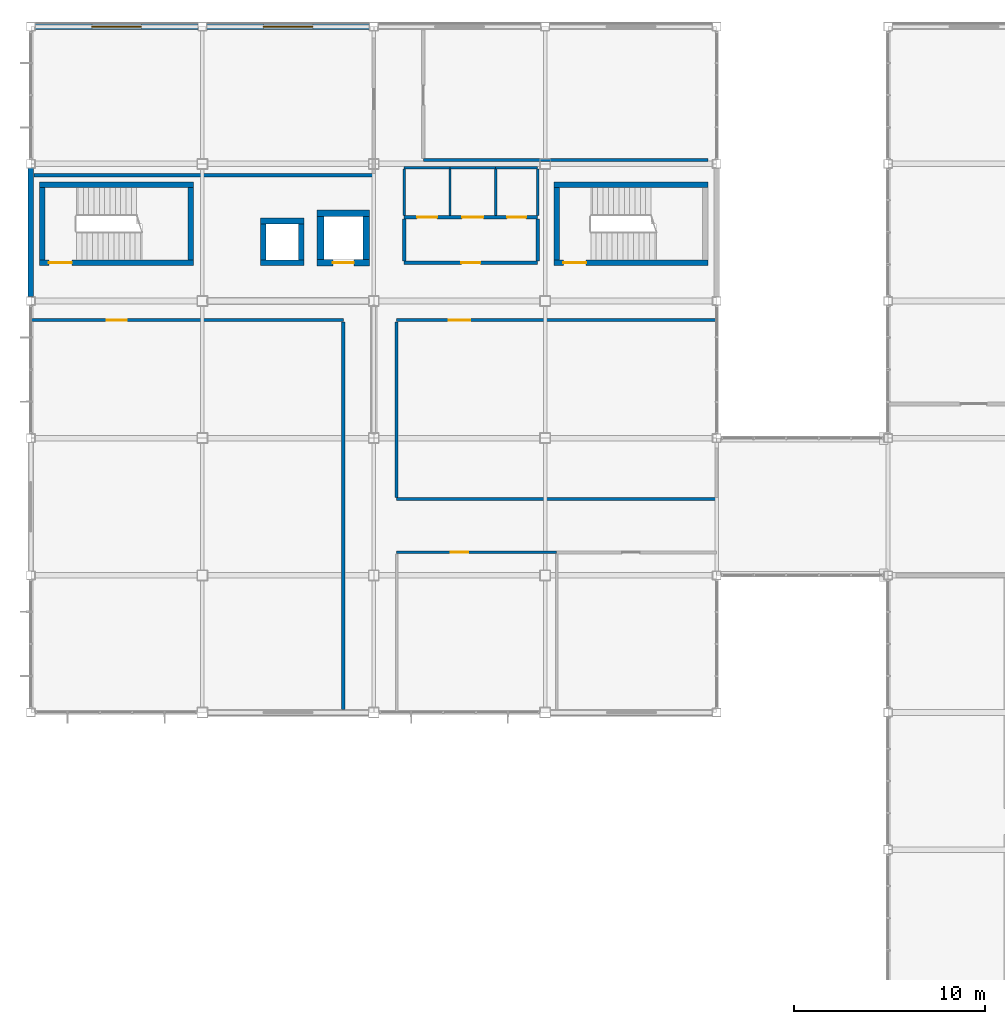
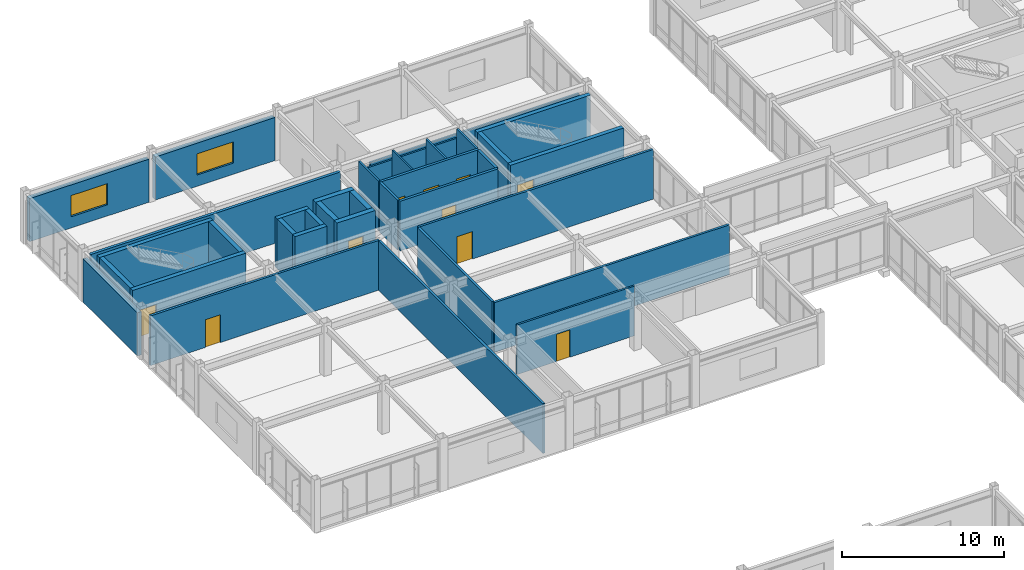
# One storey, part 101 of 122: 37 walls, 10 doors, 2 windows, 12 openings.
"""IFC4 building model written with IfcOpenShell, lengths in metres."""

from ifc_helpers import new_model, si_unit, direction, frame, frame_2d, origin, place, context, subcontext, project, spatial, rectangle, extrude, material, layer, layer_set, type_object, element, fill, save


model = new_model("IFC4")

# Units and contexts
model_context = context("Model", 3, precision=1e-05, world=origin(), true_north=direction((0.0, 1.0)))
body_context = subcontext(model_context, "Body", "Model", "MODEL_VIEW")
ifc_project = project(units=[si_unit("LENGTHUNIT", "METRE"), si_unit("AREAUNIT", "SQUARE_METRE"), si_unit("VOLUMEUNIT", "CUBIC_METRE"), si_unit("PLANEANGLEUNIT", "RADIAN"), si_unit("MASSUNIT", "GRAM", prefix="KILO")], contexts=[model_context])

# Site, building, storey
site_placement = place(None, origin())
site = spatial("IfcSite", under=ifc_project, at=site_placement, CompositionType="ELEMENT")
building_placement = place(site_placement, origin())
building = spatial("IfcBuilding", under=site, at=building_placement, Name="Kazanami Central Library", CompositionType="ELEMENT")
storey_placement = place(building_placement, frame((0.0, 0.0, 4.800048828125)))
storey = spatial("IfcBuildingStorey", under=building, at=storey_placement, Name="L02", CompositionType="ELEMENT", Elevation=4.800048828125)

# Wall
ifc_material_1 = material(Name="Concrete Fc36 (36 MPa)", Category="concrete")
ifc_layer_1 = layer(ifc_material_1, 0.219970703125, Name="Concrete Fc36 (36 MPa)")
ifc_material_2 = material(Name="Extruded Polystyrene XPS", Category="earth")
ifc_layer_2 = layer(ifc_material_2, 0.050048828125, Name="Extruded Polystyrene XPS")
ifc_material_3 = material(Name="Honed Inada Granite", Category="masonry")
ifc_layer_3 = layer(ifc_material_3, 0.030029296875, Name="Honed Inada Granite")
ifc_layer_set_1 = layer_set([ifc_layer_1, ifc_layer_2, ifc_layer_3], Name="Concrete Fc36 (36 MPa)")
wall_type_1 = type_object("IfcWallType", Name="WAL-EW-300", PredefinedType="STANDARD", material=ifc_layer_set_1)
wall_1_placement = place(storey_placement, frame((0.0, 79.425048828125, 0.0), z_axis=(0.0, 0.0, 1.0), x_axis=(0.0, 1.0, 0.0)))
element("IfcWall", 1, at=wall_1_placement, inside=storey, type_object=wall_type_1, Name="Exterior Facade Wall EW-300 L02 W-1-11", PredefinedType="STANDARD", context=body_context, shape_type="SweptSolid", body=[
    extrude(rectangle(XDim=6.75, YDim=0.300048828125, at=frame_2d((3.375, 0.0))), origin(), (0.0, 0.0, 1.0), 3.2548828125),
])

# Wall, opening, window
ifc_layer_4 = layer(ifc_material_1, 0.239990234375, Name="Concrete Fc36 (36 MPa)")
ifc_layer_5 = layer(ifc_material_2, 0.050048828125, Name="Extruded Polystyrene XPS")
ifc_layer_6 = layer(ifc_material_3, 0.030029296875, Name="Honed Inada Granite")
ifc_layer_set_2 = layer_set([ifc_layer_4, ifc_layer_5, ifc_layer_6], Name="Concrete Fc36 (36 MPa)")
wall_type_2 = type_object("IfcWallType", Name="WAL-EW-320", PredefinedType="STANDARD", material=ifc_layer_set_2)
wall_2_placement = place(storey_placement, frame((8.77490234375, 93.60009765625, 0.0), z_axis=(0.0, 0.0, 1.0), x_axis=(-1.0, 0.0, 0.0)))
wall_2 = element("IfcWall", 2, at=wall_2_placement, inside=storey, type_object=wall_type_2, Name="Exterior Facade Wall EW-320 L02 N-O-00", PredefinedType="STANDARD", context=body_context, shape_type="SweptSolid", body=[
    extrude(rectangle(XDim=8.5498046875, YDim=0.320068359375, at=frame_2d((4.27490234375, 0.0))), origin(), (0.0, 0.0, 1.0), 3.2548828125),
])
opening_1_placement = place(wall_2_placement, frame((2.97509765625, 0.0, 0.85009765625)))
opening_1 = element("IfcOpeningElement", 3, at=opening_1_placement, cuts=wall_2, Name="Opening WN-13", PredefinedType="OPENING", context=body_context, shape_type="SweptSolid", body=[
    extrude(rectangle(XDim=2.60009765625, YDim=1.60009765625, at=frame_2d((1.300048828125, 0.800048828125))), frame((0.0, 0.171875, 0.0), z_axis=(0.0, -1.0, 0.0), x_axis=(1.0, 0.0, 0.0)), (0.0, 0.0, 1.0), 0.343994140625),
])
ifc_material_4 = material(Name="Low-E Insulated Triple Glass", Category="glass")
window_type = type_object("IfcWindowType", Name="WIN-WN-13", PartitioningType="DOUBLE_PANEL_VERTICAL", PredefinedType="WINDOW", material=ifc_material_4)
window_1_placement = place(opening_1_placement, origin())
window_1 = element("IfcWindow", 4, at=window_1_placement, inside=storey, type_object=window_type, Name="Facade Window WN-13 L02 N-O-00", OverallHeight=1.60009765625, OverallWidth=2.60009765625, PartitioningType="DOUBLE_PANEL_VERTICAL", PredefinedType="WINDOW", context=body_context, shape_type="SweptSolid", body=[
    extrude(rectangle(XDim=2.60009765625, YDim=1.60009765625, at=frame_2d((1.300048828125, 0.800048828125))), frame((0.0, 0.030029296875, 0.0), z_axis=(0.0, -1.0, 0.0), x_axis=(1.0, 0.0, 0.0)), (0.0, 0.0, 1.0), 0.06005859375),
])
fill(opening_1, window_1)

wall_3_placement = place(storey_placement, frame((17.77490234375, 93.60009765625, 0.0), z_axis=(0.0, 0.0, 1.0), x_axis=(-1.0, 0.0, 0.0)))
wall_3 = element("IfcWall", 5, at=wall_3_placement, inside=storey, type_object=wall_type_2, Name="Exterior Facade Wall EW-320 L02 N-O-01", PredefinedType="STANDARD", context=body_context, shape_type="SweptSolid", body=[
    extrude(rectangle(XDim=8.5498046875, YDim=0.320068359375, at=frame_2d((4.27490234375, 0.0))), origin(), (0.0, 0.0, 1.0), 3.2548828125),
])
opening_2_placement = place(wall_3_placement, frame((2.97509765625, 0.0, 0.85009765625)))
opening_2 = element("IfcOpeningElement", 6, at=opening_2_placement, cuts=wall_3, Name="Opening WN-13", PredefinedType="OPENING", context=body_context, shape_type="SweptSolid", body=[
    extrude(rectangle(XDim=2.60009765625, YDim=1.60009765625, at=frame_2d((1.300048828125, 0.800048828125))), frame((0.0, 0.171875, 0.0), z_axis=(0.0, -1.0, 0.0), x_axis=(1.0, 0.0, 0.0)), (0.0, 0.0, 1.0), 0.343994140625),
])
window_2_placement = place(opening_2_placement, origin())
window_2 = element("IfcWindow", 7, at=window_2_placement, inside=storey, type_object=window_type, Name="Facade Window WN-13 L02 N-O-01", OverallHeight=1.60009765625, OverallWidth=2.60009765625, PartitioningType="DOUBLE_PANEL_VERTICAL", PredefinedType="WINDOW", context=body_context, shape_type="SweptSolid", body=[
    extrude(rectangle(XDim=2.60009765625, YDim=1.60009765625, at=frame_2d((1.300048828125, 0.800048828125))), frame((0.0, 0.030029296875, 0.0), z_axis=(0.0, -1.0, 0.0), x_axis=(1.0, 0.0, 0.0)), (0.0, 0.0, 1.0), 0.06005859375),
])
fill(opening_2, window_2)

# Wall, opening, door
ifc_material_5 = material(Name="Fire-Resistant Gypsum Board GB-F", Category="gypsum")
ifc_layer_7 = layer(ifc_material_5, 0.1650390625, Name="Fire-Resistant Gypsum Board GB-F")
ifc_layer_set_3 = layer_set([ifc_layer_7], Name="Fire-Resistant Gypsum Board GB-F")
wall_type_3 = type_object("IfcWallType", Name="WAL-FW-165", PredefinedType="PARTITIONING", material=ifc_layer_set_3)
wall_4_placement = place(storey_placement, frame((0.034912109375, 78.199951171875, 0.0), z_axis=(0.0, 0.0, 1.0), x_axis=(1.0, 0.0, 0.0)))
wall_4 = element("IfcWall", 8, at=wall_4_placement, inside=storey, type_object=wall_type_3, Name="Interior Partition FW-165 L02 RM-17 (North)", PredefinedType="PARTITIONING", context=body_context, shape_type="SweptSolid", body=[
    extrude(rectangle(XDim=16.364990234375, YDim=0.1650390625, at=frame_2d((8.1826171875, 0.0))), origin(), (0.0, 0.0, 1.0), 3.7548828125),
])
opening_3_placement = place(wall_4_placement, frame((3.93994140625, 0.0, 0.0)))
opening_3 = element("IfcOpeningElement", 9, at=opening_3_placement, cuts=wall_4, Name="Opening FD30-1", PredefinedType="OPENING", context=body_context, shape_type="SweptSolid", body=[
    extrude(rectangle(XDim=1.050048828125, YDim=2.10009765625, at=frame_2d((0.52490234375, 1.050048828125))), frame((0.0, 0.094482421875, 0.0), z_axis=(0.0, -1.0, 0.0), x_axis=(1.0, 0.0, 0.0)), (0.0, 0.0, 1.0), 0.18896484375),
])
ifc_material_6 = material(Name="Cold-Rolled Steel SPCC", Category="steel")
door_type_1 = type_object("IfcDoorType", Name="DOR-FD30-1", OperationType="NOTDEFINED", PredefinedType="DOOR", material=ifc_material_6)
door_1_placement = place(opening_3_placement, origin())
door_1 = element("IfcDoor", 10, at=door_1_placement, inside=storey, type_object=door_type_1, Name="Interior Door FD30-1 L02 RM-17", OperationType="SINGLE_SWING_LEFT", OverallHeight=2.10009765625, OverallWidth=1.050048828125, PredefinedType="DOOR", context=body_context, shape_type="SweptSolid", body=[
    extrude(rectangle(XDim=1.050048828125, YDim=2.10009765625, at=frame_2d((0.52490234375, 1.050048828125))), frame((0.0, 0.02490234375, 0.0), z_axis=(0.0, -1.0, 0.0), x_axis=(1.0, 0.0, 0.0)), (0.0, 0.0, 1.0), 0.050048828125),
])
fill(opening_3, door_1)

# Walls
wall_5_placement = place(storey_placement, frame((16.39990234375, 57.764892578125, 0.0), z_axis=(0.0, 0.0, 1.0), x_axis=(0.0, 1.0, 0.0)))
element("IfcWall", 11, at=wall_5_placement, inside=storey, type_object=wall_type_3, Name="Interior Partition FW-165 L02 RM-17 (East)", PredefinedType="PARTITIONING", context=body_context, shape_type="SweptSolid", body=[
    extrude(rectangle(XDim=20.34521484375, YDim=0.1650390625, at=frame_2d((10.172607421875, 0.0))), origin(), (0.0, 0.0, 1.0), 3.7548828125),
])
wall_6_placement = place(storey_placement, frame((19.199951171875, 68.800048828125, 0.0), z_axis=(0.0, 0.0, 1.0), x_axis=(1.0, 0.0, 0.0)))
element("IfcWall", 12, at=wall_6_placement, inside=storey, type_object=wall_type_3, Name="Interior Partition FW-165 L02 RM-20 (South)", PredefinedType="PARTITIONING", context=body_context, shape_type="SweptSolid", body=[
    extrude(rectangle(XDim=16.800048828125, YDim=0.1650390625, at=frame_2d((8.39990234375, 0.0))), origin(), (0.0, 0.0, 1.0), 3.7548828125),
])

# Wall, opening, door
wall_7_placement = place(storey_placement, frame((19.199951171875, 78.199951171875, 0.0), z_axis=(0.0, 0.0, 1.0), x_axis=(1.0, 0.0, 0.0)))
wall_7 = element("IfcWall", 13, at=wall_7_placement, inside=storey, type_object=wall_type_3, Name="Interior Partition FW-165 L02 RM-20 (North)", PredefinedType="PARTITIONING", context=body_context, shape_type="SweptSolid", body=[
    extrude(rectangle(XDim=16.76513671875, YDim=0.1650390625, at=frame_2d((8.382568359375, 0.0))), origin(), (0.0, 0.0, 1.0), 3.7548828125),
])
opening_4_placement = place(wall_7_placement, frame((2.739990234375, 0.0, 0.0)))
opening_4 = element("IfcOpeningElement", 14, at=opening_4_placement, cuts=wall_7, Name="Opening FD30-8", PredefinedType="OPENING", context=body_context, shape_type="SweptSolid", body=[
    extrude(rectangle(XDim=1.1201171875, YDim=2.080078125, at=frame_2d((0.56005859375, 1.0400390625))), frame((0.0, 0.094482421875, 0.0), z_axis=(0.0, -1.0, 0.0), x_axis=(1.0, 0.0, 0.0)), (0.0, 0.0, 1.0), 0.18896484375),
])
door_type_2 = type_object("IfcDoorType", Name="DOR-FD30-8", OperationType="NOTDEFINED", PredefinedType="DOOR", material=ifc_material_6)
door_2_placement = place(opening_4_placement, origin())
door_2 = element("IfcDoor", 15, at=door_2_placement, inside=storey, type_object=door_type_2, Name="Interior Door FD30-8 L02 RM-20", OperationType="SINGLE_SWING_RIGHT", OverallHeight=2.080078125, OverallWidth=1.1201171875, PredefinedType="DOOR", context=body_context, shape_type="SweptSolid", body=[
    extrude(rectangle(XDim=1.1201171875, YDim=2.080078125, at=frame_2d((0.56005859375, 1.0400390625))), frame((0.0, 0.02490234375, 0.0), z_axis=(0.0, -1.0, 0.0), x_axis=(1.0, 0.0, 0.0)), (0.0, 0.0, 1.0), 0.050048828125),
])
fill(opening_4, door_2)

# Walls
wall_8_placement = place(storey_placement, frame((19.199951171875, 68.889892578125, 0.0), z_axis=(0.0, 0.0, 1.0), x_axis=(0.0, 1.0, 0.0)))
element("IfcWall", 16, at=wall_8_placement, inside=storey, type_object=wall_type_3, Name="Interior Partition FW-165 L02 RM-20 (West)", PredefinedType="PARTITIONING", context=body_context, shape_type="SweptSolid", body=[
    extrude(rectangle(XDim=9.22021484375, YDim=0.1650390625, at=frame_2d((4.610107421875, 0.0))), origin(), (0.0, 0.0, 1.0), 3.7548828125),
])
wall_9_placement = place(storey_placement, frame((20.60009765625, 86.60009765625, 0.0), z_axis=(0.0, 0.0, 1.0), x_axis=(1.0, 0.0, 0.0)))
element("IfcWall", 17, at=wall_9_placement, inside=storey, type_object=wall_type_3, Name="Interior Partition FW-165 L02 RM-22 (South)", PredefinedType="PARTITIONING", context=body_context, shape_type="SweptSolid", body=[
    extrude(rectangle(XDim=14.94482421875, YDim=0.1650390625, at=frame_2d((7.472412109375, 0.0))), origin(), (0.0, 0.0, 1.0), 3.034912109375),
])

# Wall, opening, door
ifc_layer_8 = layer(ifc_material_5, 0.179931640625, Name="Fire-Resistant Gypsum Board GB-F")
ifc_layer_set_4 = layer_set([ifc_layer_8], Name="Fire-Resistant Gypsum Board GB-F")
wall_type_4 = type_object("IfcWallType", Name="WAL-FW-180", PredefinedType="PARTITIONING", material=ifc_layer_set_4)
wall_10_placement = place(storey_placement, frame((19.60009765625, 81.199951171875, 0.0), z_axis=(0.0, 0.0, 1.0), x_axis=(1.0, 0.0, 0.0)))
wall_10 = element("IfcWall", 18, at=wall_10_placement, inside=storey, type_object=wall_type_4, Name="Interior Partition FW-180 L02 WC-V4-LOB (South)", PredefinedType="PARTITIONING", context=body_context, shape_type="SweptSolid", body=[
    extrude(rectangle(XDim=7.0, YDim=0.179931640625, at=frame_2d((3.5, 0.0))), origin(), (0.0, 0.0, 1.0), 3.7548828125),
])
opening_5_placement = place(wall_10_placement, frame((3.0, 0.0, 0.0)))
opening_5 = element("IfcOpeningElement", 19, at=opening_5_placement, cuts=wall_10, Name="Opening FD30-2", PredefinedType="OPENING", context=body_context, shape_type="SweptSolid", body=[
    extrude(rectangle(XDim=1.0, YDim=2.080078125, at=frame_2d((0.5, 1.0400390625))), frame((0.0, 0.10205078125, 0.0), z_axis=(0.0, -1.0, 0.0), x_axis=(1.0, 0.0, 0.0)), (0.0, 0.0, 1.0), 0.203857421875),
])
door_type_3 = type_object("IfcDoorType", Name="DOR-FD30-2", OperationType="NOTDEFINED", PredefinedType="DOOR", material=ifc_material_6)
door_3_placement = place(opening_5_placement, origin())
door_3 = element("IfcDoor", 20, at=door_3_placement, inside=storey, type_object=door_type_3, Name="Interior Door FD30-2 L02 WC-V4-LOB", OperationType="SINGLE_SWING_RIGHT", OverallHeight=2.080078125, OverallWidth=1.0, PredefinedType="DOOR", context=body_context, shape_type="SweptSolid", body=[
    extrude(rectangle(XDim=1.0, YDim=2.080078125, at=frame_2d((0.5, 1.0400390625))), frame((0.0, 0.02490234375, 0.0), z_axis=(0.0, -1.0, 0.0), x_axis=(1.0, 0.0, 0.0)), (0.0, 0.0, 1.0), 0.050048828125),
])
fill(opening_5, door_3)

# Wall, openings, doors
wall_11_placement = place(storey_placement, frame((19.60009765625, 83.60009765625, 0.0), z_axis=(0.0, 0.0, 1.0), x_axis=(1.0, 0.0, 0.0)))
wall_11 = element("IfcWall", 21, at=wall_11_placement, inside=storey, type_object=wall_type_4, Name="Interior Partition FW-180 L02 WC-V4-LOB (North)", PredefinedType="PARTITIONING", context=body_context, shape_type="SweptSolid", body=[
    extrude(rectangle(XDim=7.0, YDim=0.179931640625, at=frame_2d((3.5, 0.0))), origin(), (0.0, 0.0, 1.0), 3.7548828125),
])
opening_6_placement = place(wall_11_placement, frame((0.675048828125, 0.0, 0.0)))
opening_6 = element("IfcOpeningElement", 22, at=opening_6_placement, cuts=wall_11, Name="Opening FD30-1", PredefinedType="OPENING", context=body_context, shape_type="SweptSolid", body=[
    extrude(rectangle(XDim=1.050048828125, YDim=2.10009765625, at=frame_2d((0.52490234375, 1.050048828125))), frame((0.0, 0.10205078125, 0.0), z_axis=(0.0, -1.0, 0.0), x_axis=(1.0, 0.0, 0.0)), (0.0, 0.0, 1.0), 0.203857421875),
])
opening_7_placement = place(wall_11_placement, frame((3.0400390625, 0.0, 0.0)))
opening_7 = element("IfcOpeningElement", 23, at=opening_7_placement, cuts=wall_11, Name="Opening FD30-8", PredefinedType="OPENING", context=body_context, shape_type="SweptSolid", body=[
    extrude(rectangle(XDim=1.1201171875, YDim=2.080078125, at=frame_2d((0.56005859375, 1.0400390625))), frame((0.0, 0.10205078125, 0.0), z_axis=(0.0, -1.0, 0.0), x_axis=(1.0, 0.0, 0.0)), (0.0, 0.0, 1.0), 0.203857421875),
])
opening_8_placement = place(wall_11_placement, frame((5.39990234375, 0.0, 0.0)))
opening_8 = element("IfcOpeningElement", 24, at=opening_8_placement, cuts=wall_11, Name="Opening FD30-2", PredefinedType="OPENING", context=body_context, shape_type="SweptSolid", body=[
    extrude(rectangle(XDim=1.0, YDim=2.080078125, at=frame_2d((0.5, 1.0400390625))), frame((0.0, 0.10205078125, 0.0), z_axis=(0.0, -1.0, 0.0), x_axis=(1.0, 0.0, 0.0)), (0.0, 0.0, 1.0), 0.203857421875),
])
door_4_placement = place(opening_6_placement, origin())
door_4 = element("IfcDoor", 25, at=door_4_placement, inside=storey, type_object=door_type_1, Name="Interior Door FD30-1 L02 WC-V4-M", OperationType="SINGLE_SWING_LEFT", OverallHeight=2.10009765625, OverallWidth=1.050048828125, PredefinedType="DOOR", context=body_context, shape_type="SweptSolid", body=[
    extrude(rectangle(XDim=1.050048828125, YDim=2.10009765625, at=frame_2d((0.52490234375, 1.050048828125))), frame((0.0, 0.02490234375, 0.0), z_axis=(0.0, -1.0, 0.0), x_axis=(1.0, 0.0, 0.0)), (0.0, 0.0, 1.0), 0.050048828125),
])
fill(opening_6, door_4)
door_5_placement = place(opening_8_placement, origin())
door_5 = element("IfcDoor", 26, at=door_5_placement, inside=storey, type_object=door_type_3, Name="Interior Door FD30-2 L02 WC-V4-ACC", OperationType="SINGLE_SWING_LEFT", OverallHeight=2.080078125, OverallWidth=1.0, PredefinedType="DOOR", context=body_context, shape_type="SweptSolid", body=[
    extrude(rectangle(XDim=1.0, YDim=2.080078125, at=frame_2d((0.5, 1.0400390625))), frame((0.0, 0.02490234375, 0.0), z_axis=(0.0, -1.0, 0.0), x_axis=(1.0, 0.0, 0.0)), (0.0, 0.0, 1.0), 0.050048828125),
])
fill(opening_8, door_5)
door_6_placement = place(opening_7_placement, origin())
door_6 = element("IfcDoor", 27, at=door_6_placement, inside=storey, type_object=door_type_2, Name="Interior Door FD30-8 L02 WC-V4-F", OperationType="SINGLE_SWING_RIGHT", OverallHeight=2.080078125, OverallWidth=1.1201171875, PredefinedType="DOOR", context=body_context, shape_type="SweptSolid", body=[
    extrude(rectangle(XDim=1.1201171875, YDim=2.080078125, at=frame_2d((0.56005859375, 1.0400390625))), frame((0.0, 0.02490234375, 0.0), z_axis=(0.0, -1.0, 0.0), x_axis=(1.0, 0.0, 0.0)), (0.0, 0.0, 1.0), 0.050048828125),
])
fill(opening_7, door_6)

# Walls
for number, where, z_axis, x_axis, name in (
    (28, (19.60009765625, 81.2900390625, 0.0), (0.0, 0.0, 1.0), (0.0, 1.0, 0.0), "Interior Partition FW-180 L02 WC-V4-LOB (West)"),
    (29, (26.60009765625, 81.2900390625, 0.0), (0.0, 0.0, 1.0), (0.0, 1.0, 0.0), "Interior Partition FW-180 L02 WC-V4-LOB (East)"),
):
    element("IfcWall", number, at=place(storey_placement, frame(where, z_axis=z_axis, x_axis=x_axis)), inside=storey, type_object=wall_type_4, Name=name, PredefinedType="PARTITIONING", context=body_context, shape_type="SweptSolid", body=[
        extrude(rectangle(XDim=2.219970703125, YDim=0.179931640625, at=frame_2d((1.10986328125, 0.0))), origin(), (0.0, 0.0, 1.0), 3.7548828125),
    ])
ifc_layer_9 = layer(ifc_material_5, 0.199951171875, Name="Fire-Resistant Gypsum Board GB-F")
ifc_layer_set_5 = layer_set([ifc_layer_9], Name="Fire-Resistant Gypsum Board GB-F")
wall_type_5 = type_object("IfcWallType", Name="WAL-FW-200", PredefinedType="PARTITIONING", material=ifc_layer_set_5)
wall_12_placement = place(storey_placement, frame((0.155029296875, 85.800048828125, 0.0), z_axis=(0.0, 0.0, 1.0), x_axis=(1.0, 0.0, 0.0)))
element("IfcWall", 30, at=wall_12_placement, inside=storey, type_object=wall_type_5, Name="Interior Partition FW-200 L02 RM-21 (South)", PredefinedType="PARTITIONING", context=body_context, shape_type="SweptSolid", body=[
    extrude(rectangle(XDim=17.844970703125, YDim=0.199951171875, at=frame_2d((8.92236328125, 0.0))), origin(), (0.0, 0.0, 1.0), 3.7548828125),
])
ifc_material_7 = material(Name="Gypsum Plasterboard GB-R", Category="gypsum")
ifc_layer_10 = layer(ifc_material_7, 0.125, Name="Gypsum Plasterboard GB-R")
ifc_layer_set_6 = layer_set([ifc_layer_10], Name="Gypsum Plasterboard GB-R")
wall_type_6 = type_object("IfcWallType", Name="WAL-PW-125", PredefinedType="PARTITIONING", material=ifc_layer_set_6)
wall_13_placement = place(storey_placement, frame((19.60009765625, 86.199951171875, 0.0), z_axis=(0.0, 0.0, 1.0), x_axis=(1.0, 0.0, 0.0)))
element("IfcWall", 31, at=wall_13_placement, inside=storey, type_object=wall_type_6, Name="Interior Partition PW-125 L02 WC-V4-M (North)", PredefinedType="PARTITIONING", context=body_context, shape_type="SweptSolid", body=[
    extrude(rectangle(XDim=2.39990234375, YDim=0.125, at=frame_2d((1.199951171875, 0.0))), origin(), (0.0, 0.0, 1.0), 3.034912109375),
])
for number, where, z_axis, x_axis, name in (
    (32, (19.60009765625, 83.68994140625, 0.0), (0.0, 0.0, 1.0), (0.0, 1.0, 0.0), "Interior Partition PW-125 L02 WC-V4-M (West)"),
    (33, (22.0, 83.68994140625, 0.0), (0.0, 0.0, 1.0), (0.0, 1.0, 0.0), "Interior Partition PW-125 L02 WC-V4-M (East)"),
):
    element("IfcWall", number, at=place(storey_placement, frame(where, z_axis=z_axis, x_axis=x_axis)), inside=storey, type_object=wall_type_6, Name=name, PredefinedType="PARTITIONING", context=body_context, shape_type="SweptSolid", body=[
        extrude(rectangle(XDim=2.447509765625, YDim=0.125, at=frame_2d((1.2236328125, 0.0))), origin(), (0.0, 0.0, 1.0), 3.7548828125),
    ])
wall_14_placement = place(storey_placement, frame((22.0, 86.199951171875, 0.0), z_axis=(0.0, 0.0, 1.0), x_axis=(1.0, 0.0, 0.0)))
element("IfcWall", 34, at=wall_14_placement, inside=storey, type_object=wall_type_6, Name="Interior Partition PW-125 L02 WC-V4-F (North)", PredefinedType="PARTITIONING", context=body_context, shape_type="SweptSolid", body=[
    extrude(rectangle(XDim=2.39990234375, YDim=0.125, at=frame_2d((1.199951171875, 0.0))), origin(), (0.0, 0.0, 1.0), 3.034912109375),
])
wall_15_placement = place(storey_placement, frame((24.39990234375, 83.68994140625, 0.0), z_axis=(0.0, 0.0, 1.0), x_axis=(0.0, 1.0, 0.0)))
element("IfcWall", 35, at=wall_15_placement, inside=storey, type_object=wall_type_6, Name="Interior Partition PW-125 L02 WC-V4-F (East)", PredefinedType="PARTITIONING", context=body_context, shape_type="SweptSolid", body=[
    extrude(rectangle(XDim=2.447509765625, YDim=0.125, at=frame_2d((1.2236328125, 0.0))), origin(), (0.0, 0.0, 1.0), 3.7548828125),
])
wall_16_placement = place(storey_placement, frame((24.39990234375, 86.199951171875, 0.0), z_axis=(0.0, 0.0, 1.0), x_axis=(1.0, 0.0, 0.0)))
element("IfcWall", 36, at=wall_16_placement, inside=storey, type_object=wall_type_6, Name="Interior Partition PW-125 L02 WC-V4-ACC (North)", PredefinedType="PARTITIONING", context=body_context, shape_type="SweptSolid", body=[
    extrude(rectangle(XDim=2.2001953125, YDim=0.125, at=frame_2d((1.10009765625, 0.0))), origin(), (0.0, 0.0, 1.0), 3.034912109375),
])
wall_17_placement = place(storey_placement, frame((26.60009765625, 83.68994140625, 0.0), z_axis=(0.0, 0.0, 1.0), x_axis=(0.0, 1.0, 0.0)))
element("IfcWall", 37, at=wall_17_placement, inside=storey, type_object=wall_type_6, Name="Interior Partition PW-125 L02 WC-V4-ACC (East)", PredefinedType="PARTITIONING", context=body_context, shape_type="SweptSolid", body=[
    extrude(rectangle(XDim=2.447509765625, YDim=0.125, at=frame_2d((1.2236328125, 0.0))), origin(), (0.0, 0.0, 1.0), 3.7548828125),
])

# Wall, opening, door
ifc_layer_11 = layer(ifc_material_7, 0.135009765625, Name="Gypsum Plasterboard GB-R")
ifc_layer_set_7 = layer_set([ifc_layer_11], Name="Gypsum Plasterboard GB-R")
wall_type_7 = type_object("IfcWallType", Name="WAL-PW-135", PredefinedType="PARTITIONING", material=ifc_layer_set_7)
wall_18_placement = place(storey_placement, frame((19.199951171875, 66.0, 0.0), z_axis=(0.0, 0.0, 1.0), x_axis=(1.0, 0.0, 0.0)))
wall_18 = element("IfcWall", 38, at=wall_18_placement, inside=storey, type_object=wall_type_7, Name="Interior Partition PW-135 L02 RM-18 (North)", PredefinedType="PARTITIONING", context=body_context, shape_type="SweptSolid", body=[
    extrude(rectangle(XDim=8.400146484375, YDim=0.135009765625, at=frame_2d((4.2001953125, 0.0))), origin(), (0.0, 0.0, 1.0), 3.7548828125),
])
opening_9_placement = place(wall_18_placement, frame((2.830078125, 0.0, 0.0)))
opening_9 = element("IfcOpeningElement", 39, at=opening_9_placement, cuts=wall_18, Name="Opening ID-05", PredefinedType="OPENING", context=body_context, shape_type="SweptSolid", body=[
    extrude(rectangle(XDim=0.93994140625, YDim=2.06005859375, at=frame_2d((0.469970703125, 1.030029296875))), frame((0.0, 0.07958984375, 0.0), z_axis=(0.0, -1.0, 0.0), x_axis=(1.0, 0.0, 0.0)), (0.0, 0.0, 1.0), 0.158935546875),
])
ifc_material_8 = material(Name="White Oak Hardwood", Category="wood")
door_type_4 = type_object("IfcDoorType", Name="DOR-ID-05", OperationType="NOTDEFINED", PredefinedType="DOOR", material=ifc_material_8)
door_7_placement = place(opening_9_placement, origin())
door_7 = element("IfcDoor", 40, at=door_7_placement, inside=storey, type_object=door_type_4, Name="Interior Door ID-05 L02 RM-18", OperationType="SINGLE_SWING_RIGHT", OverallHeight=2.06005859375, OverallWidth=0.93994140625, PredefinedType="DOOR", context=body_context, shape_type="SweptSolid", body=[
    extrude(rectangle(XDim=0.93994140625, YDim=2.06005859375, at=frame_2d((0.469970703125, 1.030029296875))), frame((0.0, 0.02490234375, 0.0), z_axis=(0.0, -1.0, 0.0), x_axis=(1.0, 0.0, 0.0)), (0.0, 0.0, 1.0), 0.050048828125),
])
fill(opening_9, door_7)

ifc_layer_12 = layer(ifc_material_1, 0.300048828125, Name="Concrete Fc36 (36 MPa)")
ifc_layer_set_8 = layer_set([ifc_layer_12], Name="Concrete Fc36 (36 MPa)")
wall_type_8 = type_object("IfcWallType", Name="WAL-SW-300", PredefinedType="SHEAR", material=ifc_layer_set_8)
wall_19_placement = place(storey_placement, frame((0.449951171875, 81.199951171875, 0.0), z_axis=(0.0, 0.0, 1.0), x_axis=(1.0, 0.0, 0.0)))
wall_19 = element("IfcWall", 41, at=wall_19_placement, inside=storey, type_object=wall_type_8, Name="Stair Core Wall ST-05 South L02", PredefinedType="SHEAR", context=body_context, shape_type="SweptSolid", body=[
    extrude(rectangle(XDim=8.10009765625, YDim=0.300048828125, at=frame_2d((4.050048828125, 0.0))), origin(), (0.0, 0.0, 1.0), 3.7548828125),
])
opening_10_placement = place(wall_19_placement, frame((0.5, 0.0, 0.0)))
opening_10 = element("IfcOpeningElement", 42, at=opening_10_placement, cuts=wall_19, Name="Opening FD60-1", PredefinedType="OPENING", context=body_context, shape_type="SweptSolid", body=[
    extrude(rectangle(XDim=1.199951171875, YDim=2.10009765625, at=frame_2d((0.60009765625, 1.050048828125))), frame((0.0, 0.162109375, 0.0), z_axis=(0.0, -1.0, 0.0), x_axis=(1.0, 0.0, 0.0)), (0.0, 0.0, 1.0), 0.323974609375),
])
door_type_5 = type_object("IfcDoorType", Name="DOR-FD60-1", OperationType="NOTDEFINED", PredefinedType="DOOR", material=ifc_material_6)
door_8_placement = place(opening_10_placement, origin())
door_8 = element("IfcDoor", 43, at=door_8_placement, inside=storey, type_object=door_type_5, Name="Escape Stair ST-05 Fire Door L02", OperationType="SINGLE_SWING_RIGHT", OverallHeight=2.10009765625, OverallWidth=1.199951171875, PredefinedType="DOOR", context=body_context, shape_type="SweptSolid", body=[
    extrude(rectangle(XDim=1.199951171875, YDim=2.10009765625, at=frame_2d((0.60009765625, 1.050048828125))), frame((0.0, 0.02490234375, 0.0), z_axis=(0.0, -1.0, 0.0), x_axis=(1.0, 0.0, 0.0)), (0.0, 0.0, 1.0), 0.050048828125),
])
fill(opening_10, door_8)

# Walls
wall_20_placement = place(storey_placement, frame((0.449951171875, 85.300048828125, 0.0), z_axis=(0.0, 0.0, 1.0), x_axis=(1.0, 0.0, 0.0)))
element("IfcWall", 44, at=wall_20_placement, inside=storey, type_object=wall_type_8, Name="Stair Core Wall ST-05 North L02", PredefinedType="SHEAR", context=body_context, shape_type="SweptSolid", body=[
    extrude(rectangle(XDim=8.10009765625, YDim=0.300048828125, at=frame_2d((4.050048828125, 0.0))), origin(), (0.0, 0.0, 1.0), 3.7548828125),
])
for number, where, z_axis, x_axis, name in (
    (45, (0.60009765625, 81.35009765625, 0.0), (0.0, 0.0, 1.0), (0.0, 1.0, 0.0), "Stair Core Wall ST-05 West L02"),
    (46, (8.39990234375, 81.35009765625, 0.0), (0.0, 0.0, 1.0), (0.0, 1.0, 0.0), "Stair Core Wall ST-05 East L02"),
):
    element("IfcWall", number, at=place(storey_placement, frame(where, z_axis=z_axis, x_axis=x_axis)), inside=storey, type_object=wall_type_8, Name=name, PredefinedType="SHEAR", context=body_context, shape_type="SweptSolid", body=[
        extrude(rectangle(XDim=3.7998046875, YDim=0.300048828125, at=frame_2d((1.89990234375, 0.0))), origin(), (0.0, 0.0, 1.0), 3.7548828125),
    ])

# Wall, opening, door
wall_21_placement = place(storey_placement, frame((27.449951171875, 81.199951171875, 0.0), z_axis=(0.0, 0.0, 1.0), x_axis=(1.0, 0.0, 0.0)))
wall_21 = element("IfcWall", 47, at=wall_21_placement, inside=storey, type_object=wall_type_8, Name="Stair Core Wall ST-06 South L02", PredefinedType="SHEAR", context=body_context, shape_type="SweptSolid", body=[
    extrude(rectangle(XDim=8.10009765625, YDim=0.300048828125, at=frame_2d((4.050048828125, 0.0))), origin(), (0.0, 0.0, 1.0), 3.7548828125),
])
opening_11_placement = place(wall_21_placement, frame((0.5, 0.0, 0.0)))
opening_11 = element("IfcOpeningElement", 48, at=opening_11_placement, cuts=wall_21, Name="Opening FD60-1", PredefinedType="OPENING", context=body_context, shape_type="SweptSolid", body=[
    extrude(rectangle(XDim=1.199951171875, YDim=2.10009765625, at=frame_2d((0.60009765625, 1.050048828125))), frame((0.0, 0.162109375, 0.0), z_axis=(0.0, -1.0, 0.0), x_axis=(1.0, 0.0, 0.0)), (0.0, 0.0, 1.0), 0.323974609375),
])
door_9_placement = place(opening_11_placement, origin())
door_9 = element("IfcDoor", 49, at=door_9_placement, inside=storey, type_object=door_type_5, Name="Escape Stair ST-06 Fire Door L02", OperationType="SINGLE_SWING_RIGHT", OverallHeight=2.10009765625, OverallWidth=1.199951171875, PredefinedType="DOOR", context=body_context, shape_type="SweptSolid", body=[
    extrude(rectangle(XDim=1.199951171875, YDim=2.10009765625, at=frame_2d((0.60009765625, 1.050048828125))), frame((0.0, 0.02490234375, 0.0), z_axis=(0.0, -1.0, 0.0), x_axis=(1.0, 0.0, 0.0)), (0.0, 0.0, 1.0), 0.050048828125),
])
fill(opening_11, door_9)

# Walls
wall_22_placement = place(storey_placement, frame((27.449951171875, 85.300048828125, 0.0), z_axis=(0.0, 0.0, 1.0), x_axis=(1.0, 0.0, 0.0)))
element("IfcWall", 50, at=wall_22_placement, inside=storey, type_object=wall_type_8, Name="Stair Core Wall ST-06 North L02", PredefinedType="SHEAR", context=body_context, shape_type="SweptSolid", body=[
    extrude(rectangle(XDim=8.10009765625, YDim=0.300048828125, at=frame_2d((4.050048828125, 0.0))), origin(), (0.0, 0.0, 1.0), 3.7548828125),
])
wall_23_placement = place(storey_placement, frame((27.60009765625, 81.35009765625, 0.0), z_axis=(0.0, 0.0, 1.0), x_axis=(0.0, 1.0, 0.0)))
element("IfcWall", 51, at=wall_23_placement, inside=storey, type_object=wall_type_8, Name="Stair Core Wall ST-06 West L02", PredefinedType="SHEAR", context=body_context, shape_type="SweptSolid", body=[
    extrude(rectangle(XDim=3.7998046875, YDim=0.300048828125, at=frame_2d((1.89990234375, 0.0))), origin(), (0.0, 0.0, 1.0), 3.7548828125),
])
for number, where, z_axis, x_axis, name in (
    (52, (12.050048828125, 81.199951171875, 0.0), (0.0, 0.0, 1.0), (1.0, 0.0, 0.0), "Service Riser Wall RSR-V4-A S L02"),
    (53, (12.050048828125, 83.39990234375, 0.0), (0.0, 0.0, 1.0), (1.0, 0.0, 0.0), "Service Riser Wall RSR-V4-A N L02"),
):
    element("IfcWall", number, at=place(storey_placement, frame(where, z_axis=z_axis, x_axis=x_axis)), inside=storey, type_object=wall_type_8, Name=name, PredefinedType="SHEAR", context=body_context, shape_type="SweptSolid", body=[
        extrude(rectangle(XDim=2.300048828125, YDim=0.300048828125, at=frame_2d((1.14990234375, 0.0))), origin(), (0.0, 0.0, 1.0), 3.7548828125),
    ])
for number, where, z_axis, x_axis, name in (
    (54, (12.199951171875, 81.35009765625, 0.0), (0.0, 0.0, 1.0), (0.0, 1.0, 0.0), "Service Riser Wall RSR-V4-A W L02"),
    (55, (14.199951171875, 81.35009765625, 0.0), (0.0, 0.0, 1.0), (0.0, 1.0, 0.0), "Service Riser Wall RSR-V4-A E L02"),
):
    element("IfcWall", number, at=place(storey_placement, frame(where, z_axis=z_axis, x_axis=x_axis)), inside=storey, type_object=wall_type_8, Name=name, PredefinedType="SHEAR", context=body_context, shape_type="SweptSolid", body=[
        extrude(rectangle(XDim=1.89990234375, YDim=0.300048828125, at=frame_2d((0.949951171875, 0.0))), origin(), (0.0, 0.0, 1.0), 3.7548828125),
    ])

# Wall, opening, door
ifc_layer_13 = layer(ifc_material_1, 0.35009765625, Name="Concrete Fc36 (36 MPa)")
ifc_layer_set_9 = layer_set([ifc_layer_13], Name="Concrete Fc36 (36 MPa)")
wall_type_9 = type_object("IfcWallType", Name="WAL-SW-350", PredefinedType="SHEAR", material=ifc_layer_set_9)
wall_24_placement = place(storey_placement, frame((15.02490234375, 81.199951171875, 0.0), z_axis=(0.0, 0.0, 1.0), x_axis=(1.0, 0.0, 0.0)))
wall_24 = element("IfcWall", 56, at=wall_24_placement, inside=storey, type_object=wall_type_9, Name="Lift Shaft Wall EL-P4 South L02", PredefinedType="SHEAR", context=body_context, shape_type="SweptSolid", body=[
    extrude(rectangle(XDim=2.75, YDim=0.35009765625, at=frame_2d((1.375, 0.0))), origin(), (0.0, 0.0, 1.0), 3.7548828125),
])
opening_12_placement = place(wall_24_placement, frame((0.824951171875, 0.0, 0.0)))
opening_12 = element("IfcOpeningElement", 57, at=opening_12_placement, cuts=wall_24, Name="Opening LD-01", PredefinedType="OPENING", context=body_context, shape_type="SweptSolid", body=[
    extrude(rectangle(XDim=1.10009765625, YDim=2.10009765625, at=frame_2d((0.550048828125, 1.050048828125))), frame((0.0, 0.18701171875, 0.0), z_axis=(0.0, -1.0, 0.0), x_axis=(1.0, 0.0, 0.0)), (0.0, 0.0, 1.0), 0.3740234375),
])
ifc_material_9 = material(Name="Stainless Steel SUS304", Category="steel")
door_type_6 = type_object("IfcDoorType", Name="DOR-LD-01", OperationType="SLIDING_TO_LEFT", PredefinedType="DOOR", material=ifc_material_9)
door_10_placement = place(opening_12_placement, origin())
door_10 = element("IfcDoor", 58, at=door_10_placement, inside=storey, type_object=door_type_6, Name="Lift Landing Sliding Door EL-P4 (L02)", OperationType="SLIDING_TO_LEFT", OverallHeight=2.10009765625, OverallWidth=1.10009765625, PredefinedType="DOOR", context=body_context, shape_type="SweptSolid", body=[
    extrude(rectangle(XDim=1.10009765625, YDim=2.10009765625, at=frame_2d((0.550048828125, 1.050048828125))), frame((0.0, 0.02490234375, 0.0), z_axis=(0.0, -1.0, 0.0), x_axis=(1.0, 0.0, 0.0)), (0.0, 0.0, 1.0), 0.050048828125),
])
fill(opening_12, door_10)

# Walls
wall_25_placement = place(storey_placement, frame((15.02490234375, 83.800048828125, 0.0), z_axis=(0.0, 0.0, 1.0), x_axis=(1.0, 0.0, 0.0)))
element("IfcWall", 59, at=wall_25_placement, inside=storey, type_object=wall_type_9, Name="Lift Shaft Wall EL-P4 North L02", PredefinedType="SHEAR", context=body_context, shape_type="SweptSolid", body=[
    extrude(rectangle(XDim=2.75, YDim=0.35009765625, at=frame_2d((1.375, 0.0))), origin(), (0.0, 0.0, 1.0), 3.7548828125),
])
for number, where, z_axis, x_axis, name in (
    (60, (15.199951171875, 81.375, 0.0), (0.0, 0.0, 1.0), (0.0, 1.0, 0.0), "Lift Shaft Wall EL-P4 West L02"),
    (61, (17.60009765625, 81.375, 0.0), (0.0, 0.0, 1.0), (0.0, 1.0, 0.0), "Lift Shaft Wall EL-P4 East L02"),
):
    element("IfcWall", number, at=place(storey_placement, frame(where, z_axis=z_axis, x_axis=x_axis)), inside=storey, type_object=wall_type_9, Name=name, PredefinedType="SHEAR", context=body_context, shape_type="SweptSolid", body=[
        extrude(rectangle(XDim=2.25, YDim=0.35009765625, at=frame_2d((1.125, 0.0))), origin(), (0.0, 0.0, 1.0), 3.7548828125),
    ])

save(model, "model.ifc")
